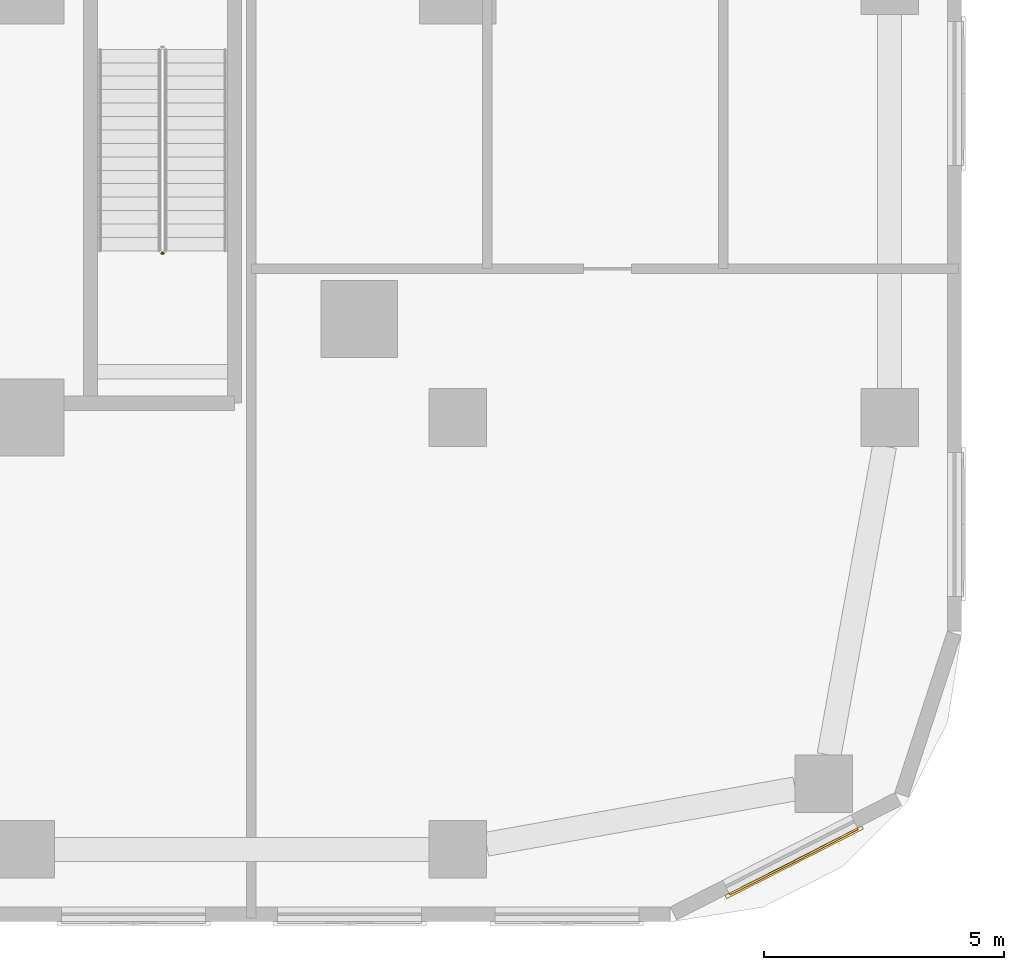
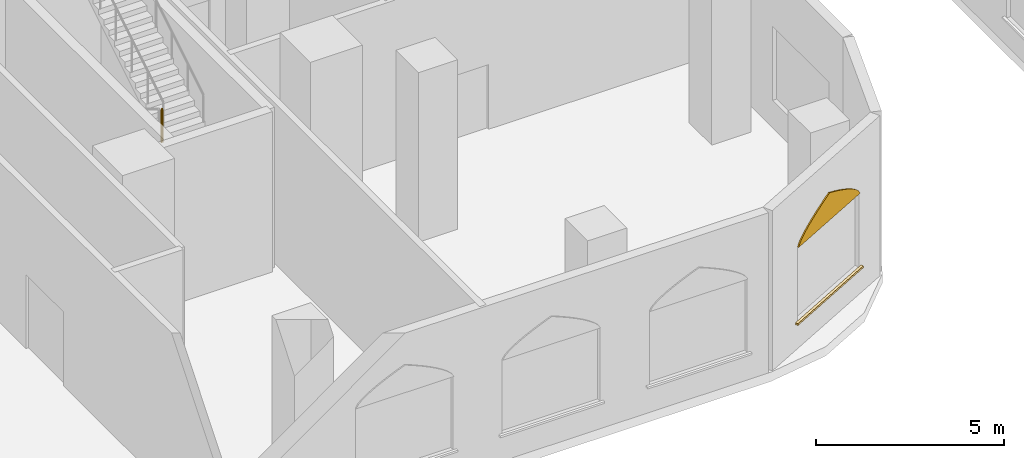
# One storey, part 26 of 31: 2 coverings, 1 railing.
"""IFC4 building model written with IfcOpenShell, lengths in metres."""

from ifc_helpers import new_model, si_unit, direction, frame, origin, origin_2d, place, context, subcontext, project, spatial, polyline, rectangle, circle, outline, extrude, material, layer, layer_set, type_object, element, save


model = new_model("IFC4")

# Units and contexts
model_context = context("Model", 3, precision=1e-05, world=origin(), true_north=direction((0.0, 1.0)))
body_context = subcontext(model_context, "Body", "Model", "MODEL_VIEW")
ifc_project = project(units=[si_unit("LENGTHUNIT", "METRE"), si_unit("AREAUNIT", "SQUARE_METRE"), si_unit("VOLUMEUNIT", "CUBIC_METRE"), si_unit("PLANEANGLEUNIT", "RADIAN"), si_unit("MASSUNIT", "GRAM", prefix="KILO")], contexts=[model_context])

# Site, building, storey
site_placement = place(None, origin())
site = spatial("IfcSite", under=ifc_project, at=site_placement, CompositionType="ELEMENT")
building_placement = place(site_placement, origin())
building = spatial("IfcBuilding", under=site, at=building_placement, Name="Ogive Portal Towers", CompositionType="ELEMENT")
storey_placement = place(building_placement, frame((0.0, 0.0, 8.0)))
storey = spatial("IfcBuildingStorey", under=building, at=storey_placement, Name="L01", CompositionType="ELEMENT", Elevation=8.0)

# Railing
ifc_material_1 = material(Name="Stainless steel balustrade", Category="steel")
railing_type = type_object("IfcRailingType", Name="INT-GUARD", PredefinedType="GUARDRAIL", material=ifc_material_1)
railing_placement = place(storey_placement, frame((88.330078125, 24.919921875, 2.75)))
element("IfcRailing", 1, at=railing_placement, inside=storey, type_object=railing_type, Name="L01 ST-A4 stair guard 2", PredefinedType="GUARDRAIL", context=body_context, shape_type="SweptSolid", body=[
    extrude(circle(Radius=0.02392578125, at=origin_2d()), frame((0.0, 0.0, 1.076171875), z_axis=(1.0, 0.0, 0.0), x_axis=(0.0, 1.0, 0.0)), (0.0, 0.0, 1.0), 0.0400390625),
    extrude(circle(Radius=0.02099609375, at=origin_2d()), origin(), (0.0, 0.0, 1.0), 1.052001953125),
    extrude(circle(Radius=0.02099609375, at=origin_2d()), frame((0.0400390625, 0.0, 0.0)), (0.0, 0.0, 1.0), 1.052001953125),
])

# Coverings
ifc_material_2 = material(Name="Limestone cladding on lightweight block wall", Category="masonry")
ifc_layer_1 = layer(ifc_material_2, 0.0400390625)
ifc_layer_set_1 = layer_set([ifc_layer_1], Name="LANCET HEAD STONE")
covering_type_1 = type_object("IfcCoveringType", Name="LANCET HEAD STONE", PredefinedType="CLADDING", material=ifc_layer_set_1)
covering_1_placement = place(storey_placement, frame((100.15478515625, 11.58837890625, 3.300048828125), z_axis=(-0.453986518369, 0.890951213184, 0.010108257236), x_axis=(0.890996732567, 0.454009716366, -3.06364e-07)))
element("IfcCovering", 2, at=covering_1_placement, inside=storey, type_object=covering_type_1, Name="Lancet head", PredefinedType="CLADDING", context=body_context, shape_type="SweptSolid", body=[
    extrude(outline(polyline([(0.0, 0.0), (2.999890731384289, 0.0), (2.9337135819672038, -0.1125567277471324), (2.812400611987339, -0.22486506751868154), (2.6556000370748487, -0.3374203120598849), (2.469538433092914, -0.4499743995598753), (2.2588005222545657, -0.5625287879186986), (2.0255699014167377, -0.6750836458422428), (1.7721410097270687, -0.7873928150844063), (1.499929860246848, -0.8999490760785828), (1.2276287171759217, -0.7873937893609075), (0.9742165180292072, -0.6750829864833984), (0.741113432099835, -0.5625274171833613), (0.5303922139540335, -0.44997357711867286), (0.34434730266464575, -0.33741943619515136), (0.18734589194553927, -0.22486533182457222), (0.06626714300779069, -0.11255481996471935), (0.0, 0.0)])), origin(), (0.0, 0.0, -1.0), 0.0400390625),
])
ifc_layer_2 = layer(ifc_material_2, 0.080078125)
ifc_layer_set_2 = layer_set([ifc_layer_2], Name="STONE SILL 80")
covering_type_2 = type_object("IfcCoveringType", Name="STONE SILL 80", PredefinedType="CLADDING", material=ifc_layer_set_2)
covering_2_placement = place(storey_placement, frame((101.50927734375, 12.233642578125, 0.840087890625), z_axis=(0.0, 0.0, 1.0), x_axis=(0.891006524188, 0.45399049974, 0.0)))
element("IfcCovering", 3, at=covering_2_placement, inside=storey, type_object=covering_type_2, Name="Stone sill", PredefinedType="CLADDING", context=body_context, shape_type="SweptSolid", body=[
    extrude(rectangle(XDim=3.199951171875, YDim=0.080078125, at=origin_2d()), origin(), (0.0, 0.0, 1.0), 0.06005859375),
])

save(model, "model.ifc")
